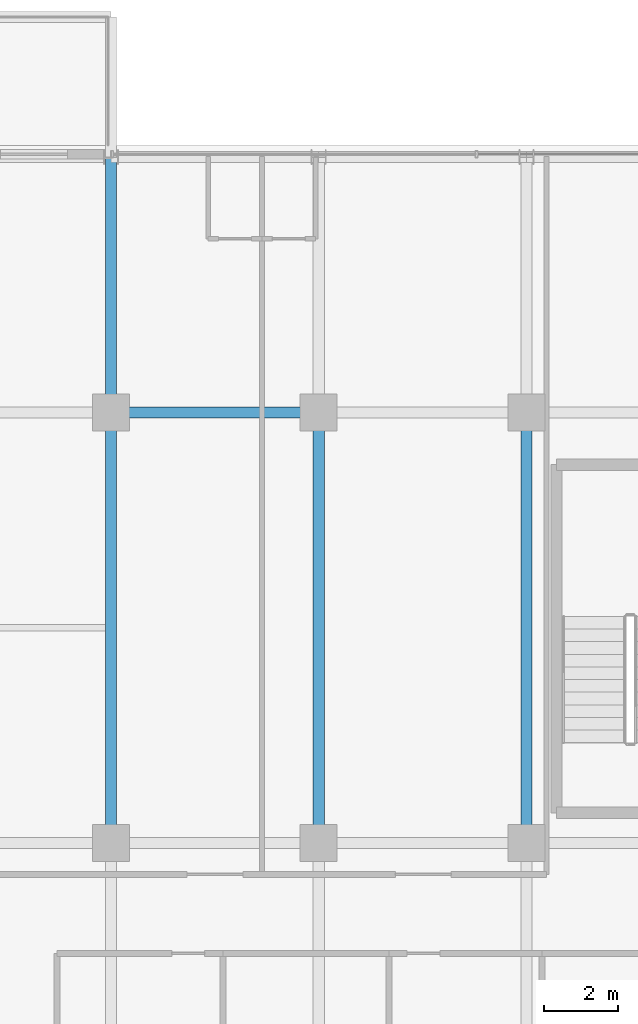
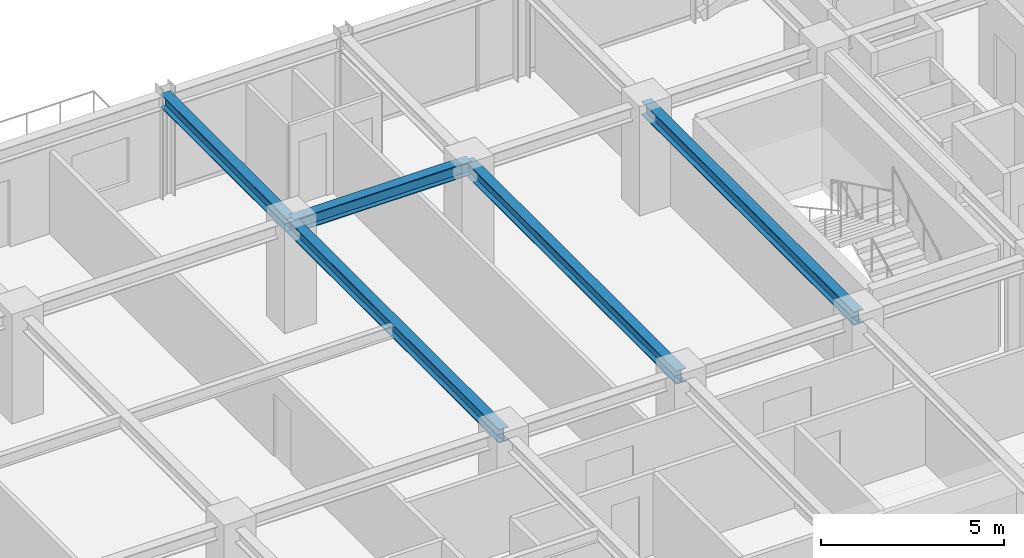
# One storey, part 22 of 36: 5 beams.
"""IFC4 building model written with IfcOpenShell, lengths in metres."""

from ifc_helpers import new_model, si_unit, direction, frame, origin, origin_2d, place, context, subcontext, project, spatial, i_section, extrude, source, transform, mapped, material, material_profile, profile_set, type_object, element, save


model = new_model("IFC4")

# Units and contexts
model_context = context("Model", 3, precision=1e-05, world=origin(), true_north=direction((0.0, 1.0)))
body_context = subcontext(model_context, "Body", "Model", "MODEL_VIEW")
ifc_project = project(units=[si_unit("LENGTHUNIT", "METRE"), si_unit("AREAUNIT", "SQUARE_METRE"), si_unit("VOLUMEUNIT", "CUBIC_METRE"), si_unit("PLANEANGLEUNIT", "RADIAN"), si_unit("MASSUNIT", "GRAM", prefix="KILO")], contexts=[model_context])

# Site, building, storey
site_placement = place(None, origin())
site = spatial("IfcSite", under=ifc_project, at=site_placement, CompositionType="ELEMENT")
building_placement = place(site_placement, origin())
building = spatial("IfcBuilding", under=site, at=building_placement, Name="Nahalor Promenade Grand Hotel", CompositionType="ELEMENT")
storey_placement = place(building_placement, frame((0.0, 0.0, 212.300048828125)))
storey = spatial("IfcBuildingStorey", under=building, at=storey_placement, Name="L54", CompositionType="ELEMENT", Elevation=212.300048828125)

# Beams
ifc_material = material(Name="Steel S355JR", Category="steel")
ifc_material_profile = material_profile(ifc_material, i_section(OverallWidth=0.3, OverallDepth=0.45, WebThickness=0.014, FlangeThickness=0.026, at=origin_2d()), Name="HEB 450")
ifc_profile_set = profile_set([ifc_material_profile], Name="Steel S355JR")
beam_type = type_object("IfcBeamType", Name="Beam-Girder-HEB450", PredefinedType="BEAM", material=ifc_profile_set)
shared_shape_1 = source(origin(), body_context, "Body", "SweptSolid", [
    extrude(i_section(OverallWidth=0.3, OverallDepth=0.45, WebThickness=0.014, FlangeThickness=0.026, at=origin_2d()), origin(), (0.0, 0.0, 1.0), 6.8798828125),
])
beam_1_placement = place(storey_placement, frame((-8.39990234375, 17.0, 3.18505859375), z_axis=(0.0, 1.0, 0.0), x_axis=(-1.0, 0.0, 0.0)))
element("IfcBeam", 1, at=beam_1_placement, inside=storey, type_object=beam_type, Name="BM-L54-GY-1-4", PredefinedType="BEAM", context=body_context, shape_type="MappedRepresentation", body=[
    mapped(shared_shape_1, transform((0.0, 0.0, 0.0), scale=1.0)),
])
shared_shape_2 = source(origin(), body_context, "Body", "SweptSolid", [
    extrude(i_section(OverallWidth=0.3, OverallDepth=0.45, WebThickness=0.014, FlangeThickness=0.026, at=origin_2d()), origin(), (0.0, 0.0, 1.0), 5.599853515625),
])
beam_2_placement = place(storey_placement, frame((-8.39990234375, 17.0, 3.18505859375), z_axis=(1.0, 0.0, 0.0), x_axis=(0.0, 1.0, 0.0)))
element("IfcBeam", 2, at=beam_2_placement, inside=storey, type_object=beam_type, Name="BM-L54-GX-3-2", PredefinedType="BEAM", context=body_context, shape_type="MappedRepresentation", body=[
    mapped(shared_shape_2, transform((0.0, 0.0, 0.0), scale=1.0)),
])
shared_shape_3 = source(origin(), body_context, "Body", "SweptSolid", [
    extrude(i_section(OverallWidth=0.3, OverallDepth=0.45, WebThickness=0.014, FlangeThickness=0.026, at=origin_2d()), origin(), (0.0, 0.0, 1.0), 11.60009765625),
])
for number, where, z_axis, x_axis, name in (
    (3, (-8.39990234375, 5.39990234375, 3.18505859375), (0.0, 1.0, 0.0), (-1.0, 0.0, 0.0), "BM-L54-GY-1-3"),
    (4, (-2.800048828125, 5.39990234375, 3.18505859375), (0.0, 1.0, 0.0), (-1.0, 0.0, 0.0), "BM-L54-GY-2-3"),
    (5, (2.800048828125, 5.39990234375, 3.18505859375), (0.0, 1.0, 0.0), (-1.0, 0.0, 0.0), "BM-L54-GY-3-3"),
):
    element("IfcBeam", number, at=place(storey_placement, frame(where, z_axis=z_axis, x_axis=x_axis)), inside=storey, type_object=beam_type, Name=name, PredefinedType="BEAM", context=body_context, shape_type="MappedRepresentation", body=[
        mapped(shared_shape_3, transform((0.0, 0.0, 0.0), scale=1.0)),
    ])

save(model, "model.ifc")
